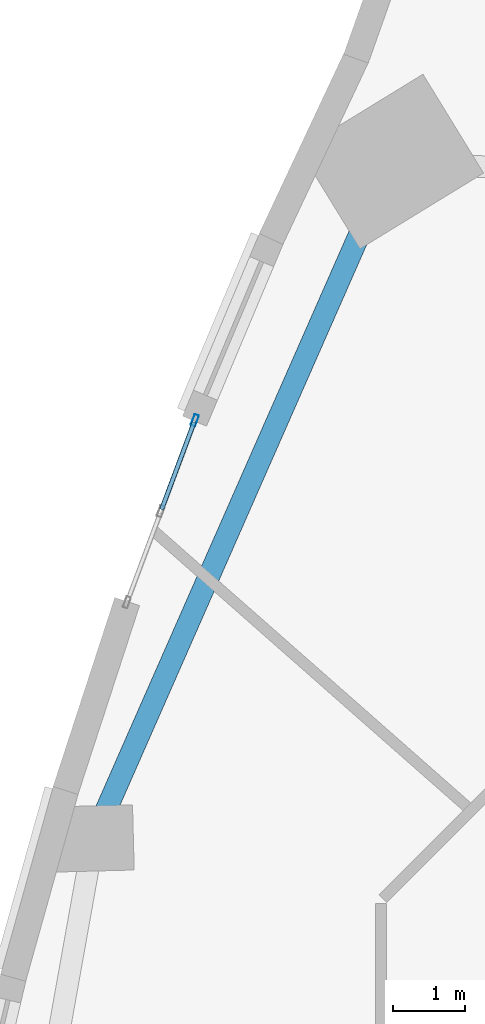
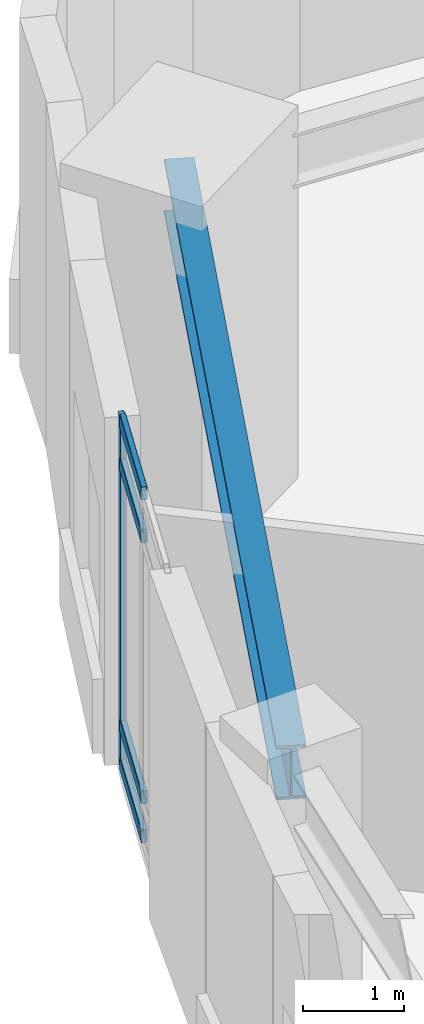
# One storey, part 9 of 19: 5 members, 1 beam, 1 element without a shape of its own.
"""IFC4 building model written with IfcOpenShell, lengths in metres."""

import ifcopenshell
import ifcopenshell.guid

model = None  # the IFC model being written
_history = None  # IfcOwnerHistory: only IFC2X3 demands one
_inside = {}  # id of a spatial element -> (the spatial element, [elements in it])
_under = {}  # id of a project, library or spatial element -> (it, [spatial elements below it])
_declared = {}  # id of a project -> (the project, [libraries it declares])
_typed = {}  # id of a type object -> (the type object, [elements of that type])
_made_of = {}  # id of a material, layer set ... -> (it, [elements and type objects made of it])


def new_model(schema):
    """Start an empty IFC model of exactly this schema.

    Asked for "IFC4X3", IfcOpenShell would pick the latest addendum, in which some entities
    have other attributes; the version numbers below select the first issue.
    IFC2X3 requires an IfcOwnerHistory on every rooted entity: one is made here for all.
    """
    global model, _history
    if schema == "IFC4X3":
        model = ifcopenshell.file(schema_version=(4, 3, 0, 0))
    else:
        model = ifcopenshell.file(schema=schema)
    _inside.clear()
    _under.clear()
    _declared.clear()
    _typed.clear()
    _made_of.clear()
    _history = None
    if model.schema == "IFC2X3":
        org = make("IfcOrganization", Name="unknown")
        user = make(
            "IfcPersonAndOrganization",
            ThePerson=make("IfcPerson", FamilyName="unknown"),
            TheOrganization=org,
        )
        app = make(
            "IfcApplication",
            ApplicationDeveloper=org,
            Version="unknown",
            ApplicationFullName="unknown",
            ApplicationIdentifier="unknown",
        )
        _history = make(
            "IfcOwnerHistory",
            OwningUser=user,
            OwningApplication=app,
            ChangeAction="ADDED",
            CreationDate=0,
        )
    return model


def make(cls, **values):
    """One entity of the class cls with the attributes given. An attribute that is None is left unset."""
    return model.create_entity(
        cls, **{name: value for name, value in values.items() if value is not None}
    )


def rooted(cls, **values):
    """An entity with a GlobalId (a new one), such as an element, a storey or a relation."""
    return make(cls, GlobalId=ifcopenshell.guid.new(), OwnerHistory=_history, **values)


def si_unit(unit_type, name, prefix=None):
    """IfcSIUnit, for example si_unit("LENGTHUNIT", "METRE", prefix="MILLI")."""
    return make("IfcSIUnit", UnitType=unit_type, Prefix=prefix, Name=name)


def assignment(units):
    """IfcUnitAssignment: the units of a project."""
    return None if units is None else make("IfcUnitAssignment", Units=units)


def point(xyz):
    """IfcCartesianPoint."""
    return None if xyz is None else make("IfcCartesianPoint", Coordinates=xyz)


def direction(xyz):
    """IfcDirection."""
    return None if xyz is None else make("IfcDirection", DirectionRatios=xyz)


def frame(location, z_axis=None, x_axis=None):
    """IfcAxis2Placement3D, a coordinate frame: its origin and axes. An axis left out is left unset."""
    return make(
        "IfcAxis2Placement3D",
        Location=point(location),
        Axis=direction(z_axis),
        RefDirection=direction(x_axis),
    )


def frame_2d(location, x_axis=None):
    """IfcAxis2Placement2D, a coordinate frame in the plane: its origin and x axis."""
    return make(
        "IfcAxis2Placement2D", Location=point(location), RefDirection=direction(x_axis)
    )


def origin():
    """The frame at (0, 0, 0) with its axes left unset."""
    return frame((0.0, 0.0, 0.0))


def origin_2d():
    """The frame at (0, 0) in the plane with its x axis left unset."""
    return frame_2d((0.0, 0.0))


def place(relative_to, where):
    """IfcLocalPlacement: puts the frame where relative to a parent placement (None: the world)."""
    return make(
        "IfcLocalPlacement", PlacementRelTo=relative_to, RelativePlacement=where
    )


def context(
    kind, dimensions, precision=None, world=None, true_north=None, identifier=None
):
    """IfcGeometricRepresentationContext, for example the 3D "Model" context."""
    return make(
        "IfcGeometricRepresentationContext",
        ContextIdentifier=identifier,
        ContextType=kind,
        CoordinateSpaceDimension=dimensions,
        Precision=precision,
        WorldCoordinateSystem=world,
        TrueNorth=true_north,
    )


def subcontext(parent, identifier, kind, view, scale=None):
    """IfcGeometricRepresentationSubContext, for example "Body" below "Model"."""
    return make(
        "IfcGeometricRepresentationSubContext",
        ContextIdentifier=identifier,
        ContextType=kind,
        ParentContext=parent,
        TargetScale=scale,
        TargetView=view,
    )


def project(units=None, contexts=None):
    """IfcProject with its units and contexts."""
    return rooted(
        "IfcProject",
        Name="project",
        RepresentationContexts=contexts,
        UnitsInContext=assignment(units),
    )


def spatial(cls, under=None, at=None, **own):
    """A site, building, storey or space (cls), placed at a placement, below another one or the project."""
    s = rooted(cls, ObjectPlacement=at, **own)
    if under is not None:
        _under.setdefault(under.id(), (under, []))[1].append(s)
    return s


def profile(cls, at=None, kind="AREA", **sizes):
    """A parametric profile (cls). Its sizes go by their IFC names, for example OverallWidth=200.0."""
    return make(cls, ProfileType=kind, Position=at, **sizes)


def hollow_rectangle(**sizes):
    """IfcRectangleHollowProfileDef."""
    return profile("IfcRectangleHollowProfileDef", **sizes)


def i_section(**sizes):
    """IfcIShapeProfileDef."""
    return profile("IfcIShapeProfileDef", **sizes)


def extrude(swept, where, along, depth):
    """IfcExtrudedAreaSolid: the profile swept, set in the frame where, extruded along a direction by depth."""
    return make(
        "IfcExtrudedAreaSolid",
        SweptArea=swept,
        Position=where,
        ExtrudedDirection=direction(along),
        Depth=depth,
    )


def shape(context_of_items, identifier, shape_type, items):
    """IfcShapeRepresentation: the items that make up one representation, for example the "Body"."""
    return make(
        "IfcShapeRepresentation",
        ContextOfItems=context_of_items,
        RepresentationIdentifier=identifier,
        RepresentationType=shape_type,
        Items=items,
    )


def material(Name=None, Category=None):
    """IfcMaterial."""
    return make("IfcMaterial", Name=Name, Category=Category)


def layer(
    of_material, thickness, ventilated=None, Name=None, Category=None, Priority=None
):
    """IfcMaterialLayer: one layer of a wall or slab, of a material (None: an air gap)."""
    return make(
        "IfcMaterialLayer",
        Material=of_material,
        LayerThickness=thickness,
        IsVentilated=ventilated,
        Name=Name,
        Category=Category,
        Priority=Priority,
    )


def layer_set(layers, Name=None):
    """IfcMaterialLayerSet."""
    return make("IfcMaterialLayerSet", MaterialLayers=layers, LayerSetName=Name)


def material_profile(
    of_material, cross_section, Name=None, Category=None, Priority=None
):
    """IfcMaterialProfile: a cross section and its material."""
    return make(
        "IfcMaterialProfile",
        Name=Name,
        Material=of_material,
        Profile=cross_section,
        Priority=Priority,
        Category=Category,
    )


def profile_set(profiles, Name=None, composite=None):
    """IfcMaterialProfileSet."""
    return make(
        "IfcMaterialProfileSet",
        Name=Name,
        MaterialProfiles=profiles,
        CompositeProfile=composite,
    )


def made_of(thing, what):
    """Note that an element or type object is made of a material, layer set ...; save() writes the relation."""
    if what is not None:
        _made_of.setdefault(what.id(), (what, []))[1].append(thing)
    return thing


def type_object(cls, material=None, **own):
    """A type object (cls), such as IfcWallType, which elements share."""
    return made_of(rooted(cls, **own), material)


def element(
    cls,
    number,
    at=None,
    inside=None,
    cuts=None,
    type_object=None,
    material=None,
    context=None,
    identifier="Body",
    shape_type=None,
    held_by="IfcProductDefinitionShape",
    body=None,
    shapes=None,
    **own,
):
    """One element of the class cls, such as IfcWall. Its Tag is "e" and its number.

    at: its placement. inside: the storey or other place that contains it. cuts: it is an
    opening in that element (IfcRelVoidsElement). A single representation is given by context,
    identifier, shape_type and body (its items); several are given by shapes. held_by: the class
    of the entity that holds the representations. save() writes the other relations.
    """
    e = rooted(cls, Tag="e%d" % number, ObjectPlacement=at, **own)
    if body is not None:
        shapes = [shape(context, identifier, shape_type, body)]
    if shapes is not None:
        e.Representation = make(held_by, Representations=shapes)
    if inside is not None:
        _inside.setdefault(inside.id(), (inside, []))[1].append(e)
    if cuts is not None:
        rooted(
            "IfcRelVoidsElement", RelatingBuildingElement=cuts, RelatedOpeningElement=e
        )
    if type_object is not None:
        _typed.setdefault(type_object.id(), (type_object, []))[1].append(e)
    return made_of(e, material)


def aggregate(whole, parts):
    """IfcRelAggregates: a whole, such as a stair, and the parts it consists of."""
    return rooted("IfcRelAggregates", RelatingObject=whole, RelatedObjects=parts)


def save(model, path):
    """Write the relations noted so far, then the file.

    IfcRelAggregates (storeys below a building ...), IfcRelContainedInSpatialStructure (elements
    in a storey), IfcRelDefinesByType, IfcRelAssociatesMaterial and IfcRelDeclares: one each for
    every whole, place, type object, material and project.
    """
    for whole, parts in _under.values():
        aggregate(whole, parts)
    for where, things in _inside.values():
        rooted(
            "IfcRelContainedInSpatialStructure",
            RelatedElements=things,
            RelatingStructure=where,
        )
    for kind, things in _typed.values():
        rooted("IfcRelDefinesByType", RelatedObjects=things, RelatingType=kind)
    for what, things in _made_of.values():
        rooted("IfcRelAssociatesMaterial", RelatedObjects=things, RelatingMaterial=what)
    for by, libraries in _declared.values():
        rooted("IfcRelDeclares", RelatingContext=by, RelatedDefinitions=libraries)
    model.write(path)


model = new_model("IFC4")

# Units and contexts
model_context = context("Model", 3, precision=1e-05, world=origin(), true_north=direction((0.0, 1.0)))
body_context = subcontext(model_context, "Body", "Model", "MODEL_VIEW")
ifc_project = project(units=[si_unit("LENGTHUNIT", "METRE"), si_unit("AREAUNIT", "SQUARE_METRE"), si_unit("VOLUMEUNIT", "CUBIC_METRE"), si_unit("PLANEANGLEUNIT", "RADIAN"), si_unit("MASSUNIT", "GRAM", prefix="KILO")], contexts=[model_context])

# Site, building, storey
site_placement = place(None, origin())
site = spatial("IfcSite", under=ifc_project, at=site_placement, CompositionType="ELEMENT")
building_placement = place(site_placement, origin())
building = spatial("IfcBuilding", under=site, at=building_placement, Name="Ndelora Gate Hotel", CompositionType="ELEMENT")
storey_placement = place(building_placement, frame((0.0, 0.0, 88.25)))
storey = spatial("IfcBuildingStorey", under=building, at=storey_placement, Name="L21", CompositionType="ELEMENT", Elevation=88.25)

# Beam
ifc_material_1 = material(Name="Steel S355", Category="steel")
ifc_material_profile_1 = material_profile(ifc_material_1, i_section(OverallWidth=0.300048828125, OverallDepth=0.64990234375, WebThickness=0.01611328125, FlangeThickness=0.031005859375, FilletRadius=0.027099609375, at=origin_2d()), Name="HEB 650")
ifc_profile_set_1 = profile_set([ifc_material_profile_1], Name="Steel S355")
beam_type = type_object("IfcBeamType", Name="BM-RING-650", PredefinedType="SPANDREL", material=ifc_profile_set_1)
beam_placement = place(storey_placement, frame((-10.63330078125, 17.351806640625, 3.885009765625), z_axis=(-0.402852396707, -0.915264959707, 0.0), x_axis=(0.915264959707, -0.402852396707, 0.0)))
element("IfcBeam", 1, at=beam_placement, inside=storey, type_object=beam_type, Name="L21 Perimeter Spandrel Girder 1", PredefinedType="SPANDREL", context=body_context, shape_type="SweptSolid", body=[
    extrude(i_section(OverallWidth=0.300048828125, OverallDepth=0.64990234375, WebThickness=0.01611328125, FlangeThickness=0.031005859375, FilletRadius=0.027099609375, at=origin_2d()), origin(), (0.0, 0.0, 1.0), 10.21044921875),
])

# Curtain wall, members
ifc_material_2 = material(Name="Bronze Anodised Unitised Aluminium and Low-E Glass", Category="aluminium")
ifc_layer = layer(ifc_material_2, 0.2099609375)
ifc_layer_set = layer_set([ifc_layer], Name="Bronze Anodised Unitised Aluminium and Low-E Glass")
curtain_wall_type = type_object("IfcCurtainWallType", Name="CW-SYS-4", PredefinedType="NOTDEFINED", material=ifc_layer_set)
curtain_wall_placement = place(storey_placement, origin())
curtain_wall = element("IfcCurtainWall", 2, at=curtain_wall_placement, inside=storey, type_object=curtain_wall_type, Name="L21 Lower Sky-Lobby & Highland Spa Curtain Wall 1", PredefinedType="NOTDEFINED")
ifc_material_3 = material(Name="Bronze Anodised Aluminium 6063-T6", Category="aluminium")
ifc_material_profile_2 = material_profile(ifc_material_3, hollow_rectangle(XDim=0.06494140625, YDim=0.159912109375, WallThickness=0.00390625, InnerFilletRadius=0.00390625, OuterFilletRadius=0.008056640625, at=origin_2d()), Name="ALU 160x65x4")
ifc_profile_set_2 = profile_set([ifc_material_profile_2], Name="Bronze Anodised Aluminium 6063-T6")
member_type_1 = type_object("IfcMemberType", Name="MB-CW-MUL150", PredefinedType="MULLION", material=ifc_profile_set_2)
member_1_placement = place(storey_placement, frame((-13.34765625, 13.779541015625, -0.00390625), z_axis=(0.0, 0.0, 1.0), x_axis=(0.93688871813, -0.349627701764, 0.0)))
member_1 = element("IfcMember", 3, at=member_1_placement, type_object=member_type_1, Name="CW4 mullion 1", PredefinedType="MULLION", context=body_context, shape_type="SweptSolid", body=[
    extrude(hollow_rectangle(XDim=0.06494140625, YDim=0.159912109375, WallThickness=0.00390625, InnerFilletRadius=0.00390625, OuterFilletRadius=0.008056640625, at=origin_2d()), origin(), (0.0, 0.0, 1.0), 4.218017578125),
])
ifc_material_profile_3 = material_profile(ifc_material_3, hollow_rectangle(XDim=0.06494140625, YDim=0.159912109375, WallThickness=0.00390625, InnerFilletRadius=0.00390625, OuterFilletRadius=0.008056640625, at=origin_2d()), Name="ALU 160x65x4")
ifc_profile_set_3 = profile_set([ifc_material_profile_3], Name="Bronze Anodised Aluminium 6063-T6")
member_type_2 = type_object("IfcMemberType", Name="MB-CW-TRN150", PredefinedType="USERDEFINED", material=ifc_profile_set_3)
member_2_placement = place(storey_placement, frame((-13.35693359375, 13.7548828125, 0.032470703125), z_axis=(-0.349503654693, -0.936935000604, 0.0), x_axis=(0.936935000604, -0.349503654693, 0.0)))
member_2 = element("IfcMember", 4, at=member_2_placement, type_object=member_type_2, Name="CW4 transom 1.1", ObjectType="TRANSOM", PredefinedType="USERDEFINED", context=body_context, shape_type="SweptSolid", body=[
    extrude(hollow_rectangle(XDim=0.06494140625, YDim=0.159912109375, WallThickness=0.00390625, InnerFilletRadius=0.00390625, OuterFilletRadius=0.008056640625, at=origin_2d()), origin(), (0.0, 0.0, 1.0), 1.288818359375),
])
member_3_placement = place(storey_placement, frame((-13.35693359375, 13.7548828125, 0.5), z_axis=(-0.349503654693, -0.936935000604, 0.0), x_axis=(0.936935000604, -0.349503654693, 0.0)))
member_3 = element("IfcMember", 5, at=member_3_placement, type_object=member_type_2, Name="CW4 transom 1.2", ObjectType="TRANSOM", PredefinedType="USERDEFINED", context=body_context, shape_type="SweptSolid", body=[
    extrude(hollow_rectangle(XDim=0.06494140625, YDim=0.159912109375, WallThickness=0.00390625, InnerFilletRadius=0.00390625, OuterFilletRadius=0.008056640625, at=origin_2d()), origin(), (0.0, 0.0, 1.0), 1.288818359375),
])
member_4_placement = place(storey_placement, frame((-13.35693359375, 13.7548828125, 3.659912109375), z_axis=(-0.349503654693, -0.936935000604, 0.0), x_axis=(0.936935000604, -0.349503654693, 0.0)))
member_4 = element("IfcMember", 6, at=member_4_placement, type_object=member_type_2, Name="CW4 transom 1.3", ObjectType="TRANSOM", PredefinedType="USERDEFINED", context=body_context, shape_type="SweptSolid", body=[
    extrude(hollow_rectangle(XDim=0.06494140625, YDim=0.159912109375, WallThickness=0.00390625, InnerFilletRadius=0.00390625, OuterFilletRadius=0.008056640625, at=origin_2d()), origin(), (0.0, 0.0, 1.0), 1.288818359375),
])
member_5_placement = place(storey_placement, frame((-13.35693359375, 13.7548828125, 4.177490234375), z_axis=(-0.349503654693, -0.936935000604, 0.0), x_axis=(0.936935000604, -0.349503654693, 0.0)))
member_5 = element("IfcMember", 7, at=member_5_placement, type_object=member_type_2, Name="CW4 transom 1.4", ObjectType="TRANSOM", PredefinedType="USERDEFINED", context=body_context, shape_type="SweptSolid", body=[
    extrude(hollow_rectangle(XDim=0.06494140625, YDim=0.159912109375, WallThickness=0.00390625, InnerFilletRadius=0.00390625, OuterFilletRadius=0.008056640625, at=origin_2d()), origin(), (0.0, 0.0, 1.0), 1.288818359375),
])
aggregate(curtain_wall, [member_1, member_2, member_3, member_4, member_5])

save(model, "model.ifc")
